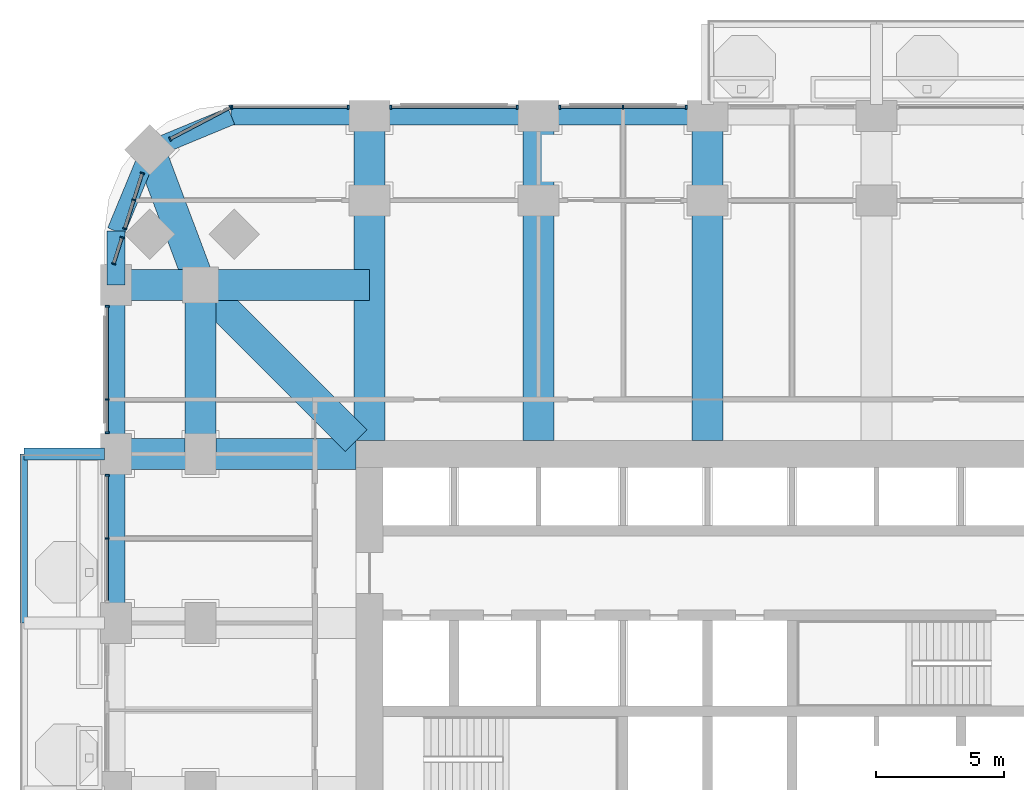
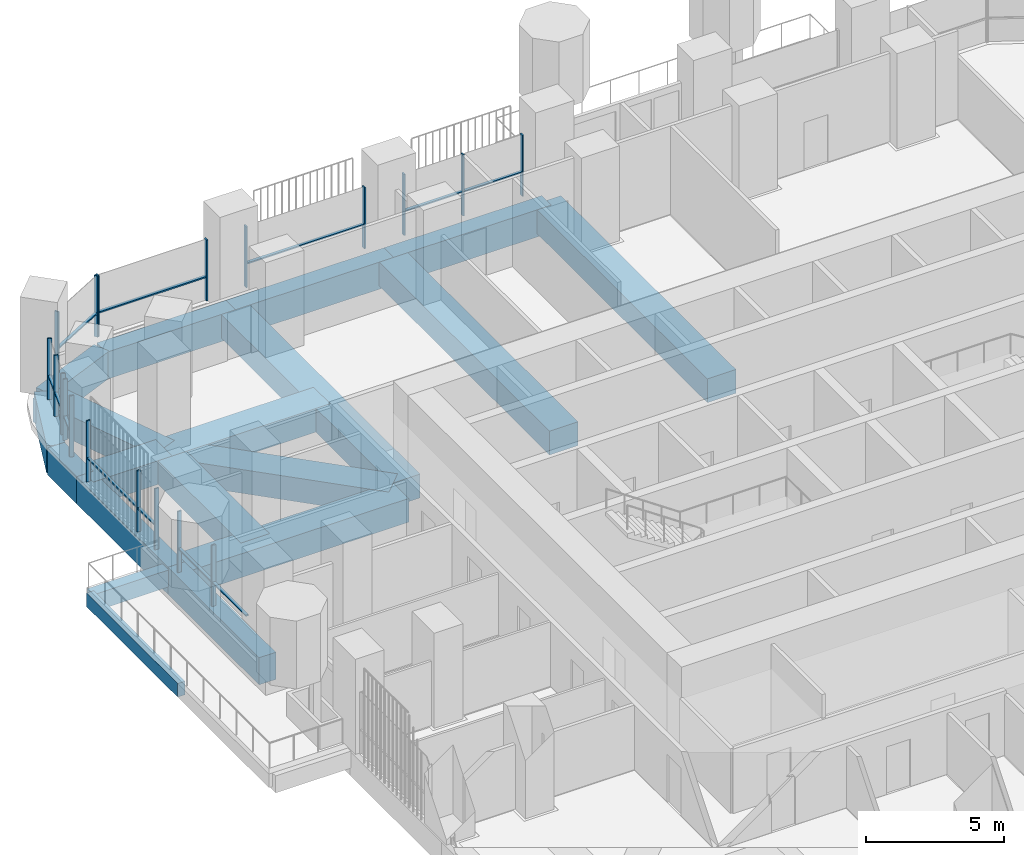
# One storey, part 6 of 21: 31 members, 19 beams, 8 elements without a shape of their own.
"""IFC4 building model written with IfcOpenShell, lengths in metres."""

import ifcopenshell
import ifcopenshell.guid

model = None  # the IFC model being written
_history = None  # IfcOwnerHistory: only IFC2X3 demands one
_inside = {}  # id of a spatial element -> (the spatial element, [elements in it])
_under = {}  # id of a project, library or spatial element -> (it, [spatial elements below it])
_declared = {}  # id of a project -> (the project, [libraries it declares])
_typed = {}  # id of a type object -> (the type object, [elements of that type])
_made_of = {}  # id of a material, layer set ... -> (it, [elements and type objects made of it])


def new_model(schema):
    """Start an empty IFC model of exactly this schema.

    Asked for "IFC4X3", IfcOpenShell would pick the latest addendum, in which some entities
    have other attributes; the version numbers below select the first issue.
    IFC2X3 requires an IfcOwnerHistory on every rooted entity: one is made here for all.
    """
    global model, _history
    if schema == "IFC4X3":
        model = ifcopenshell.file(schema_version=(4, 3, 0, 0))
    else:
        model = ifcopenshell.file(schema=schema)
    _inside.clear()
    _under.clear()
    _declared.clear()
    _typed.clear()
    _made_of.clear()
    _history = None
    if model.schema == "IFC2X3":
        org = make("IfcOrganization", Name="unknown")
        user = make(
            "IfcPersonAndOrganization",
            ThePerson=make("IfcPerson", FamilyName="unknown"),
            TheOrganization=org,
        )
        app = make(
            "IfcApplication",
            ApplicationDeveloper=org,
            Version="unknown",
            ApplicationFullName="unknown",
            ApplicationIdentifier="unknown",
        )
        _history = make(
            "IfcOwnerHistory",
            OwningUser=user,
            OwningApplication=app,
            ChangeAction="ADDED",
            CreationDate=0,
        )
    return model


def make(cls, **values):
    """One entity of the class cls with the attributes given. An attribute that is None is left unset."""
    return model.create_entity(
        cls, **{name: value for name, value in values.items() if value is not None}
    )


def rooted(cls, **values):
    """An entity with a GlobalId (a new one), such as an element, a storey or a relation."""
    return make(cls, GlobalId=ifcopenshell.guid.new(), OwnerHistory=_history, **values)


def si_unit(unit_type, name, prefix=None):
    """IfcSIUnit, for example si_unit("LENGTHUNIT", "METRE", prefix="MILLI")."""
    return make("IfcSIUnit", UnitType=unit_type, Prefix=prefix, Name=name)


def assignment(units):
    """IfcUnitAssignment: the units of a project."""
    return None if units is None else make("IfcUnitAssignment", Units=units)


def point(xyz):
    """IfcCartesianPoint."""
    return None if xyz is None else make("IfcCartesianPoint", Coordinates=xyz)


def direction(xyz):
    """IfcDirection."""
    return None if xyz is None else make("IfcDirection", DirectionRatios=xyz)


def frame(location, z_axis=None, x_axis=None):
    """IfcAxis2Placement3D, a coordinate frame: its origin and axes. An axis left out is left unset."""
    return make(
        "IfcAxis2Placement3D",
        Location=point(location),
        Axis=direction(z_axis),
        RefDirection=direction(x_axis),
    )


def frame_2d(location, x_axis=None):
    """IfcAxis2Placement2D, a coordinate frame in the plane: its origin and x axis."""
    return make(
        "IfcAxis2Placement2D", Location=point(location), RefDirection=direction(x_axis)
    )


def origin():
    """The frame at (0, 0, 0) with its axes left unset."""
    return frame((0.0, 0.0, 0.0))


def origin_2d():
    """The frame at (0, 0) in the plane with its x axis left unset."""
    return frame_2d((0.0, 0.0))


def place(relative_to, where):
    """IfcLocalPlacement: puts the frame where relative to a parent placement (None: the world)."""
    return make(
        "IfcLocalPlacement", PlacementRelTo=relative_to, RelativePlacement=where
    )


def context(
    kind, dimensions, precision=None, world=None, true_north=None, identifier=None
):
    """IfcGeometricRepresentationContext, for example the 3D "Model" context."""
    return make(
        "IfcGeometricRepresentationContext",
        ContextIdentifier=identifier,
        ContextType=kind,
        CoordinateSpaceDimension=dimensions,
        Precision=precision,
        WorldCoordinateSystem=world,
        TrueNorth=true_north,
    )


def subcontext(parent, identifier, kind, view, scale=None):
    """IfcGeometricRepresentationSubContext, for example "Body" below "Model"."""
    return make(
        "IfcGeometricRepresentationSubContext",
        ContextIdentifier=identifier,
        ContextType=kind,
        ParentContext=parent,
        TargetScale=scale,
        TargetView=view,
    )


def project(units=None, contexts=None):
    """IfcProject with its units and contexts."""
    return rooted(
        "IfcProject",
        Name="project",
        RepresentationContexts=contexts,
        UnitsInContext=assignment(units),
    )


def spatial(cls, under=None, at=None, **own):
    """A site, building, storey or space (cls), placed at a placement, below another one or the project."""
    s = rooted(cls, ObjectPlacement=at, **own)
    if under is not None:
        _under.setdefault(under.id(), (under, []))[1].append(s)
    return s


def profile(cls, at=None, kind="AREA", **sizes):
    """A parametric profile (cls). Its sizes go by their IFC names, for example OverallWidth=200.0."""
    return make(cls, ProfileType=kind, Position=at, **sizes)


def rectangle(**sizes):
    """IfcRectangleProfileDef."""
    return profile("IfcRectangleProfileDef", **sizes)


def extrude(swept, where, along, depth):
    """IfcExtrudedAreaSolid: the profile swept, set in the frame where, extruded along a direction by depth."""
    return make(
        "IfcExtrudedAreaSolid",
        SweptArea=swept,
        Position=where,
        ExtrudedDirection=direction(along),
        Depth=depth,
    )


def shape(context_of_items, identifier, shape_type, items):
    """IfcShapeRepresentation: the items that make up one representation, for example the "Body"."""
    return make(
        "IfcShapeRepresentation",
        ContextOfItems=context_of_items,
        RepresentationIdentifier=identifier,
        RepresentationType=shape_type,
        Items=items,
    )


def material(Name=None, Category=None):
    """IfcMaterial."""
    return make("IfcMaterial", Name=Name, Category=Category)


def material_profile(
    of_material, cross_section, Name=None, Category=None, Priority=None
):
    """IfcMaterialProfile: a cross section and its material."""
    return make(
        "IfcMaterialProfile",
        Name=Name,
        Material=of_material,
        Profile=cross_section,
        Priority=Priority,
        Category=Category,
    )


def profile_set(profiles, Name=None, composite=None):
    """IfcMaterialProfileSet."""
    return make(
        "IfcMaterialProfileSet",
        Name=Name,
        MaterialProfiles=profiles,
        CompositeProfile=composite,
    )


def made_of(thing, what):
    """Note that an element or type object is made of a material, layer set ...; save() writes the relation."""
    if what is not None:
        _made_of.setdefault(what.id(), (what, []))[1].append(thing)
    return thing


def type_object(cls, material=None, **own):
    """A type object (cls), such as IfcWallType, which elements share."""
    return made_of(rooted(cls, **own), material)


def element(
    cls,
    number,
    at=None,
    inside=None,
    cuts=None,
    type_object=None,
    material=None,
    context=None,
    identifier="Body",
    shape_type=None,
    held_by="IfcProductDefinitionShape",
    body=None,
    shapes=None,
    **own,
):
    """One element of the class cls, such as IfcWall. Its Tag is "e" and its number.

    at: its placement. inside: the storey or other place that contains it. cuts: it is an
    opening in that element (IfcRelVoidsElement). A single representation is given by context,
    identifier, shape_type and body (its items); several are given by shapes. held_by: the class
    of the entity that holds the representations. save() writes the other relations.
    """
    e = rooted(cls, Tag="e%d" % number, ObjectPlacement=at, **own)
    if body is not None:
        shapes = [shape(context, identifier, shape_type, body)]
    if shapes is not None:
        e.Representation = make(held_by, Representations=shapes)
    if inside is not None:
        _inside.setdefault(inside.id(), (inside, []))[1].append(e)
    if cuts is not None:
        rooted(
            "IfcRelVoidsElement", RelatingBuildingElement=cuts, RelatedOpeningElement=e
        )
    if type_object is not None:
        _typed.setdefault(type_object.id(), (type_object, []))[1].append(e)
    return made_of(e, material)


def aggregate(whole, parts):
    """IfcRelAggregates: a whole, such as a stair, and the parts it consists of."""
    return rooted("IfcRelAggregates", RelatingObject=whole, RelatedObjects=parts)


def save(model, path):
    """Write the relations noted so far, then the file.

    IfcRelAggregates (storeys below a building ...), IfcRelContainedInSpatialStructure (elements
    in a storey), IfcRelDefinesByType, IfcRelAssociatesMaterial and IfcRelDeclares: one each for
    every whole, place, type object, material and project.
    """
    for whole, parts in _under.values():
        aggregate(whole, parts)
    for where, things in _inside.values():
        rooted(
            "IfcRelContainedInSpatialStructure",
            RelatedElements=things,
            RelatingStructure=where,
        )
    for kind, things in _typed.values():
        rooted("IfcRelDefinesByType", RelatedObjects=things, RelatingType=kind)
    for what, things in _made_of.values():
        rooted("IfcRelAssociatesMaterial", RelatedObjects=things, RelatingMaterial=what)
    for by, libraries in _declared.values():
        rooted("IfcRelDeclares", RelatingContext=by, RelatedDefinitions=libraries)
    model.write(path)


model = new_model("IFC4")

# Units and contexts
model_context = context("Model", 3, precision=1e-05, world=origin(), true_north=direction((0.0, 1.0)))
body_context = subcontext(model_context, "Body", "Model", "MODEL_VIEW")
ifc_project = project(units=[si_unit("LENGTHUNIT", "METRE"), si_unit("AREAUNIT", "SQUARE_METRE"), si_unit("VOLUMEUNIT", "CUBIC_METRE"), si_unit("PLANEANGLEUNIT", "RADIAN"), si_unit("MASSUNIT", "GRAM", prefix="KILO")], contexts=[model_context])

# Site, building, storey
site_placement = place(None, origin())
site = spatial("IfcSite", under=ifc_project, at=site_placement, CompositionType="ELEMENT")
building_placement = place(site_placement, origin())
building = spatial("IfcBuilding", under=site, at=building_placement, Name="Cobogo Forest Laboratory Tower", CompositionType="ELEMENT")
storey_placement = place(building_placement, frame((0.0, 0.0, 86.39990234375)))
storey = spatial("IfcBuildingStorey", under=building, at=storey_placement, Name="L19", CompositionType="ELEMENT", Elevation=86.39990234375)

# Beams
ifc_material_1 = material(Name="Concrete HA-40 (C40/50)", Category="concrete")
ifc_material_profile_1 = material_profile(ifc_material_1, rectangle(XDim=0.449951171875, YDim=0.75, at=origin_2d()), Name="RC 450x750")
ifc_profile_set_1 = profile_set([ifc_material_profile_1], Name="Concrete HA-40 (C40/50)")
beam_type_1 = type_object("IfcBeamType", Name="Balcony cantilever beam 450x750", PredefinedType="BEAM", material=ifc_profile_set_1)
beam_1_placement = place(storey_placement, frame((2.85009765625, 33.0, -0.625), z_axis=(-1.0, 0.0, 0.0), x_axis=(0.0, -1.0, 0.0)))
element("IfcBeam", 1, at=beam_1_placement, inside=storey, type_object=beam_type_1, Name="CB1 BAL-W1-C3 L19", PredefinedType="BEAM", context=body_context, shape_type="SweptSolid", body=[
    extrude(rectangle(XDim=0.449951171875, YDim=0.75, at=origin_2d()), origin(), (0.0, 0.0, 1.0), 3.150146484375),
])
ifc_material_profile_2 = material_profile(ifc_material_1, rectangle(XDim=0.300048828125, YDim=0.60009765625, at=origin_2d()), Name="RC 300x600")
ifc_profile_set_2 = profile_set([ifc_material_profile_2], Name="Concrete HA-40 (C40/50)")
beam_type_2 = type_object("IfcBeamType", Name="Balcony edge beam 300x600", PredefinedType="BEAM", material=ifc_profile_set_2)
beam_2_placement = place(storey_placement, frame((-0.300048828125, 26.39990234375, -0.5498046875), z_axis=(0.0, 1.0, 0.0), x_axis=(-1.0, 0.0, 0.0)))
element("IfcBeam", 2, at=beam_2_placement, inside=storey, type_object=beam_type_2, Name="BB1 BAL-W1-T2 L19", PredefinedType="BEAM", context=body_context, shape_type="SweptSolid", body=[
    extrude(rectangle(XDim=0.300048828125, YDim=0.60009765625, at=origin_2d()), origin(), (0.0, 0.0, 1.0), 6.60009765625),
])
ifc_material_profile_3 = material_profile(ifc_material_1, rectangle(XDim=1.199951171875, YDim=1.050048828125, at=origin_2d()), Name="RC 1200x1050")
ifc_profile_set_3 = profile_set([ifc_material_profile_3], Name="Concrete HA-40 (C40/50)")
beam_type_3 = type_object("IfcBeamType", Name="Laboratory floor wide beam 1200x1050", PredefinedType="BEAM", material=ifc_profile_set_3)
for number, where, z_axis, x_axis, name in (
    (3, (13.199951171875, 33.52490234375, -0.824951171875), (0.0, 1.0, 0.0), (-1.0, 0.0, 0.0), "RB1 R-3-N L19"),
    (4, (19.800048828125, 33.52490234375, -0.824951171875), (0.0, 1.0, 0.0), (-1.0, 0.0, 0.0), "RB1 R-4-N L19"),
    (5, (26.39990234375, 33.52490234375, -0.824951171875), (0.0, 1.0, 0.0), (-1.0, 0.0, 0.0), "RB1 R-5-N L19"),
):
    element("IfcBeam", number, at=place(storey_placement, frame(where, z_axis=z_axis, x_axis=x_axis)), inside=storey, type_object=beam_type_3, Name=name, PredefinedType="BEAM", context=body_context, shape_type="SweptSolid", body=[
        extrude(rectangle(XDim=1.199951171875, YDim=1.050048828125, at=origin_2d()), origin(), (0.0, 0.0, 1.0), 12.675048828125),
    ])
beam_3_placement = place(storey_placement, frame((12.675048828125, 33.0, -0.824951171875), z_axis=(-1.0, 0.0, 0.0), x_axis=(0.0, -1.0, 0.0)))
element("IfcBeam", 6, at=beam_3_placement, inside=storey, type_object=beam_type_3, Name="RB1 R-F-W L19", PredefinedType="BEAM", context=body_context, shape_type="SweptSolid", body=[
    extrude(rectangle(XDim=1.199951171875, YDim=1.050048828125, at=origin_2d()), origin(), (0.0, 0.0, 1.0), 9.375),
])
beam_4_placement = place(storey_placement, frame((6.60009765625, 39.60009765625, -0.824951171875), z_axis=(0.0, -1.0, 0.0), x_axis=(1.0, 0.0, 0.0)))
element("IfcBeam", 7, at=beam_4_placement, inside=storey, type_object=beam_type_3, Name="RB1 G-NW-XC L19", PredefinedType="BEAM", context=body_context, shape_type="SweptSolid", body=[
    extrude(rectangle(XDim=1.199951171875, YDim=1.050048828125, at=origin_2d()), origin(), (0.0, 0.0, 1.0), 6.60009765625),
])
beam_5_placement = place(storey_placement, frame((3.300048828125, 39.60009765625, -0.824951171875), z_axis=(1.0, 0.0, 0.0), x_axis=(0.0, 1.0, 0.0)))
element("IfcBeam", 8, at=beam_5_placement, inside=storey, type_object=beam_type_3, Name="RB1 G-NW-YF L19", PredefinedType="BEAM", context=body_context, shape_type="SweptSolid", body=[
    extrude(rectangle(XDim=1.199951171875, YDim=1.050048828125, at=origin_2d()), origin(), (0.0, 0.0, 1.0), 3.300048828125),
])
beam_6_placement = place(storey_placement, frame((6.60009765625, 39.60009765625, -0.824951171875), z_axis=(1.0, 0.0, 0.0), x_axis=(0.0, 1.0, 0.0)))
element("IfcBeam", 9, at=beam_6_placement, inside=storey, type_object=beam_type_3, Name="RB1 G-NW-YC L19", PredefinedType="BEAM", context=body_context, shape_type="SweptSolid", body=[
    extrude(rectangle(XDim=1.199951171875, YDim=1.050048828125, at=origin_2d()), origin(), (0.0, 0.0, 1.0), 6.599853515625),
])
beam_7_placement = place(storey_placement, frame((4.617919921875, 44.882080078125, -0.824951171875), z_axis=(0.351346325373, -0.936245565889, 0.0), x_axis=(0.936245565889, 0.351346325373, 0.0)))
element("IfcBeam", 10, at=beam_7_placement, inside=storey, type_object=beam_type_3, Name="RB1 G-NW-D1 L19", PredefinedType="BEAM", context=body_context, shape_type="SweptSolid", body=[
    extrude(rectangle(XDim=1.199951171875, YDim=1.050048828125, at=origin_2d()), origin(), (0.0, 0.0, 1.0), 5.6416015625),
])
beam_8_placement = place(storey_placement, frame((6.60009765625, 39.60009765625, -0.824951171875), z_axis=(0.707092572697, -0.70712098939, 0.0), x_axis=(0.70712098939, 0.707092572697, 0.0)))
element("IfcBeam", 11, at=beam_8_placement, inside=storey, type_object=beam_type_3, Name="RB1 G-NW-D2 L19", PredefinedType="BEAM", context=body_context, shape_type="SweptSolid", body=[
    extrude(rectangle(XDim=1.199951171875, YDim=1.050048828125, at=origin_2d()), origin(), (0.0, 0.0, 1.0), 8.591552734375),
])

# Curtain wall, members
ifc_material_2 = material(Name="Aluminium curtain wall", Category="aluminium")
curtain_wall_type = type_object("IfcCurtainWallType", Name="CW-1 unitised curtain wall, clear glazing, laboratory floors zones A and B", PredefinedType="USERDEFINED", material=ifc_material_2)
curtain_wall_1_placement = place(storey_placement, origin())
curtain_wall_1 = element("IfcCurtainWall", 12, at=curtain_wall_1_placement, inside=storey, type_object=curtain_wall_type, Name="Curtain wall 21 L19", ObjectType="UNITISED CURTAIN WALL", PredefinedType="USERDEFINED")
ifc_material_3 = material(Name="Aluminium mullion", Category="aluminium")
ifc_material_profile_4 = material_profile(ifc_material_3, rectangle(XDim=0.06005859375, YDim=0.159912109375, at=origin_2d()), Name="AL 60x160")
ifc_profile_set_4 = profile_set([ifc_material_profile_4], Name="Aluminium mullion")
member_type_1 = type_object("IfcMemberType", Name="MU-1 aluminium mullion 60x160", PredefinedType="MULLION", material=ifc_profile_set_4)
member_1_placement = place(storey_placement, frame((25.570068359375, 46.550048828125, 0.0), z_axis=(0.0, 0.0, 1.0), x_axis=(-1.0, 0.0, 0.0)))
member_1 = element("IfcMember", 13, at=member_1_placement, type_object=member_type_1, Name="CW-1 mullion 1", PredefinedType="MULLION", context=body_context, shape_type="SweptSolid", body=[
    extrude(rectangle(XDim=0.06005859375, YDim=0.159912109375, at=origin_2d()), origin(), (0.0, 0.0, 1.0), 2.7001953125),
])
member_2_placement = place(storey_placement, frame((23.10009765625, 46.550048828125, 0.0), z_axis=(0.0, 0.0, 1.0), x_axis=(-1.0, 0.0, 0.0)))
member_2 = element("IfcMember", 14, at=member_2_placement, type_object=member_type_1, Name="CW-1 mullion 2", PredefinedType="MULLION", context=body_context, shape_type="SweptSolid", body=[
    extrude(rectangle(XDim=0.06005859375, YDim=0.159912109375, at=origin_2d()), origin(), (0.0, 0.0, 1.0), 2.7001953125),
])
member_3_placement = place(storey_placement, frame((20.6298828125, 46.550048828125, 0.0), z_axis=(0.0, 0.0, 1.0), x_axis=(-1.0, 0.0, 0.0)))
member_3 = element("IfcMember", 15, at=member_3_placement, type_object=member_type_1, Name="CW-1 mullion 3", PredefinedType="MULLION", context=body_context, shape_type="SweptSolid", body=[
    extrude(rectangle(XDim=0.06005859375, YDim=0.159912109375, at=origin_2d()), origin(), (0.0, 0.0, 1.0), 2.7001953125),
])

curtain_wall_2_placement = place(storey_placement, origin())
curtain_wall_2 = element("IfcCurtainWall", 16, at=curtain_wall_2_placement, inside=storey, type_object=curtain_wall_type, Name="Curtain wall 22 L19", ObjectType="UNITISED CURTAIN WALL", PredefinedType="USERDEFINED")
member_4_placement = place(storey_placement, frame((18.969970703125, 46.550048828125, 0.0), z_axis=(0.0, 0.0, 1.0), x_axis=(-1.0, 0.0, 0.0)))
member_4 = element("IfcMember", 17, at=member_4_placement, type_object=member_type_1, Name="CW-1 mullion 1", PredefinedType="MULLION", context=body_context, shape_type="SweptSolid", body=[
    extrude(rectangle(XDim=0.06005859375, YDim=0.159912109375, at=origin_2d()), origin(), (0.0, 0.0, 1.0), 2.7001953125),
])
member_5_placement = place(storey_placement, frame((14.030029296875, 46.550048828125, 0.0), z_axis=(0.0, 0.0, 1.0), x_axis=(-1.0, 0.0, 0.0)))
member_5 = element("IfcMember", 18, at=member_5_placement, type_object=member_type_1, Name="CW-1 mullion 2", PredefinedType="MULLION", context=body_context, shape_type="SweptSolid", body=[
    extrude(rectangle(XDim=0.06005859375, YDim=0.159912109375, at=origin_2d()), origin(), (0.0, 0.0, 1.0), 2.7001953125),
])

curtain_wall_3_placement = place(storey_placement, origin())
curtain_wall_3 = element("IfcCurtainWall", 19, at=curtain_wall_3_placement, inside=storey, type_object=curtain_wall_type, Name="Curtain wall 23 L19", ObjectType="UNITISED CURTAIN WALL", PredefinedType="USERDEFINED")
member_6_placement = place(storey_placement, frame((12.3701171875, 46.550048828125, 0.0), z_axis=(0.0, 0.0, 1.0), x_axis=(-1.0, 0.0, 0.0)))
member_6 = element("IfcMember", 20, at=member_6_placement, type_object=member_type_1, Name="CW-1 mullion 1", PredefinedType="MULLION", context=body_context, shape_type="SweptSolid", body=[
    extrude(rectangle(XDim=0.06005859375, YDim=0.159912109375, at=origin_2d()), origin(), (0.0, 0.0, 1.0), 2.7001953125),
])
member_7_placement = place(storey_placement, frame((7.830078125, 46.550048828125, 0.0), z_axis=(0.0, 0.0, 1.0), x_axis=(-1.0, 0.0, 0.0)))
member_7 = element("IfcMember", 21, at=member_7_placement, type_object=member_type_1, Name="CW-1 mullion 2", PredefinedType="MULLION", context=body_context, shape_type="SweptSolid", body=[
    extrude(rectangle(XDim=0.06005859375, YDim=0.159912109375, at=origin_2d()), origin(), (0.0, 0.0, 1.0), 2.7001953125),
])

curtain_wall_4_placement = place(storey_placement, origin())
curtain_wall_4 = element("IfcCurtainWall", 22, at=curtain_wall_4_placement, inside=storey, type_object=curtain_wall_type, Name="Curtain wall 24 L19", ObjectType="UNITISED CURTAIN WALL", PredefinedType="USERDEFINED")
member_8_placement = place(storey_placement, frame((7.7734375, 46.5361328125, 0.0), z_axis=(0.0, 0.0, 1.0), x_axis=(-0.885686540666, -0.464283697413, 0.0)))
member_8 = element("IfcMember", 23, at=member_8_placement, type_object=member_type_1, Name="CW-1 mullion 1", PredefinedType="MULLION", context=body_context, shape_type="SweptSolid", body=[
    extrude(rectangle(XDim=0.06005859375, YDim=0.159912109375, at=origin_2d()), origin(), (0.0, 0.0, 1.0), 2.7001953125),
])
member_9_placement = place(storey_placement, frame((5.414794921875, 45.299560546875, 0.0), z_axis=(0.0, 0.0, 1.0), x_axis=(-0.885686540666, -0.464283697413, 0.0)))
member_9 = element("IfcMember", 24, at=member_9_placement, type_object=member_type_1, Name="CW-1 mullion 2", PredefinedType="MULLION", context=body_context, shape_type="SweptSolid", body=[
    extrude(rectangle(XDim=0.06005859375, YDim=0.159912109375, at=origin_2d()), origin(), (0.0, 0.0, 1.0), 2.7001953125),
])

curtain_wall_5_placement = place(storey_placement, origin())
curtain_wall_5 = element("IfcCurtainWall", 25, at=curtain_wall_5_placement, inside=storey, type_object=curtain_wall_type, Name="Curtain wall 25 L19", ObjectType="UNITISED CURTAIN WALL", PredefinedType="USERDEFINED")
member_10_placement = place(storey_placement, frame((4.3271484375, 43.961181640625, 0.0), z_axis=(0.0, 0.0, 1.0), x_axis=(-0.301135343623, -0.953581409645, 0.0)))
member_10 = element("IfcMember", 26, at=member_10_placement, type_object=member_type_1, Name="CW-1 mullion 1", PredefinedType="MULLION", context=body_context, shape_type="SweptSolid", body=[
    extrude(rectangle(XDim=0.06005859375, YDim=0.159912109375, at=origin_2d()), origin(), (0.0, 0.0, 1.0), 2.7001953125),
])
member_11_placement = place(storey_placement, frame((3.999755859375, 42.924072265625, 0.0), z_axis=(0.0, 0.0, 1.0), x_axis=(-0.301135343623, -0.953581409645, 0.0)))
member_11 = element("IfcMember", 27, at=member_11_placement, type_object=member_type_1, Name="CW-1 mullion 2", PredefinedType="MULLION", context=body_context, shape_type="SweptSolid", body=[
    extrude(rectangle(XDim=0.06005859375, YDim=0.159912109375, at=origin_2d()), origin(), (0.0, 0.0, 1.0), 2.7001953125),
])
member_12_placement = place(storey_placement, frame((3.645751953125, 41.802978515625, 0.0), z_axis=(0.0, 0.0, 1.0), x_axis=(-0.301135343623, -0.953581409645, 0.0)))
member_12 = element("IfcMember", 28, at=member_12_placement, type_object=member_type_1, Name="CW-1 mullion 3", PredefinedType="MULLION", context=body_context, shape_type="SweptSolid", body=[
    extrude(rectangle(XDim=0.06005859375, YDim=0.159912109375, at=origin_2d()), origin(), (0.0, 0.0, 1.0), 2.7001953125),
])

curtain_wall_6_placement = place(storey_placement, origin())
curtain_wall_6 = element("IfcCurtainWall", 29, at=curtain_wall_6_placement, inside=storey, type_object=curtain_wall_type, Name="Curtain wall 26 L19", ObjectType="UNITISED CURTAIN WALL", PredefinedType="USERDEFINED")
member_13_placement = place(storey_placement, frame((3.53515625, 41.453369140625, 0.0), z_axis=(0.0, 0.0, 1.0), x_axis=(-0.3011355018, -0.953581359694, 0.0)))
member_13 = element("IfcMember", 30, at=member_13_placement, type_object=member_type_1, Name="CW-1 mullion 1", PredefinedType="MULLION", context=body_context, shape_type="SweptSolid", body=[
    extrude(rectangle(XDim=0.06005859375, YDim=0.159912109375, at=origin_2d()), origin(), (0.0, 0.0, 1.0), 2.7001953125),
])
member_14_placement = place(storey_placement, frame((3.211669921875, 40.4287109375, 0.0), z_axis=(0.0, 0.0, 1.0), x_axis=(-0.3011355018, -0.953581359694, 0.0)))
member_14 = element("IfcMember", 31, at=member_14_placement, type_object=member_type_1, Name="CW-1 mullion 2", PredefinedType="MULLION", context=body_context, shape_type="SweptSolid", body=[
    extrude(rectangle(XDim=0.06005859375, YDim=0.159912109375, at=origin_2d()), origin(), (0.0, 0.0, 1.0), 2.7001953125),
])

curtain_wall_7_placement = place(storey_placement, origin())
curtain_wall_7 = element("IfcCurtainWall", 32, at=curtain_wall_7_placement, inside=storey, type_object=curtain_wall_type, Name="Curtain wall 27 L19", ObjectType="UNITISED CURTAIN WALL", PredefinedType="USERDEFINED")
member_15_placement = place(storey_placement, frame((2.949951171875, 38.77001953125, 0.0), z_axis=(0.0, 0.0, 1.0), x_axis=(0.0, -1.0, 0.0)))
member_15 = element("IfcMember", 33, at=member_15_placement, type_object=member_type_1, Name="CW-1 mullion 1", PredefinedType="MULLION", context=body_context, shape_type="SweptSolid", body=[
    extrude(rectangle(XDim=0.06005859375, YDim=0.159912109375, at=origin_2d()), origin(), (0.0, 0.0, 1.0), 2.7001953125),
])
member_16_placement = place(storey_placement, frame((2.949951171875, 35.125, 0.0), z_axis=(0.0, 0.0, 1.0), x_axis=(0.0, -1.0, 0.0)))
member_16 = element("IfcMember", 34, at=member_16_placement, type_object=member_type_1, Name="CW-1 mullion 2", PredefinedType="MULLION", context=body_context, shape_type="SweptSolid", body=[
    extrude(rectangle(XDim=0.06005859375, YDim=0.159912109375, at=origin_2d()), origin(), (0.0, 0.0, 1.0), 2.7001953125),
])
member_17_placement = place(storey_placement, frame((2.949951171875, 33.830078125, 0.0), z_axis=(0.0, 0.0, 1.0), x_axis=(0.0, -1.0, 0.0)))
member_17 = element("IfcMember", 35, at=member_17_placement, type_object=member_type_1, Name="CW-1 mullion 3", PredefinedType="MULLION", context=body_context, shape_type="SweptSolid", body=[
    extrude(rectangle(XDim=0.06005859375, YDim=0.159912109375, at=origin_2d()), origin(), (0.0, 0.0, 1.0), 2.7001953125),
])

curtain_wall_8_placement = place(storey_placement, origin())
curtain_wall_8 = element("IfcCurtainWall", 36, at=curtain_wall_8_placement, inside=storey, type_object=curtain_wall_type, Name="Curtain wall 28 L19", ObjectType="UNITISED CURTAIN WALL", PredefinedType="USERDEFINED")
member_18_placement = place(storey_placement, frame((2.949951171875, 32.169921875, 0.0), z_axis=(0.0, 0.0, 1.0), x_axis=(0.0, -1.0, 0.0)))
member_18 = element("IfcMember", 37, at=member_18_placement, type_object=member_type_1, Name="CW-1 mullion 1", PredefinedType="MULLION", context=body_context, shape_type="SweptSolid", body=[
    extrude(rectangle(XDim=0.06005859375, YDim=0.159912109375, at=origin_2d()), origin(), (0.0, 0.0, 1.0), 2.7001953125),
])
member_19_placement = place(storey_placement, frame((2.949951171875, 29.699951171875, 0.0), z_axis=(0.0, 0.0, 1.0), x_axis=(0.0, -1.0, 0.0)))
member_19 = element("IfcMember", 38, at=member_19_placement, type_object=member_type_1, Name="CW-1 mullion 2", PredefinedType="MULLION", context=body_context, shape_type="SweptSolid", body=[
    extrude(rectangle(XDim=0.06005859375, YDim=0.159912109375, at=origin_2d()), origin(), (0.0, 0.0, 1.0), 2.7001953125),
])

# Beams
ifc_material_profile_5 = material_profile(ifc_material_1, rectangle(XDim=0.699951171875, YDim=1.199951171875, at=origin_2d()), Name="RC 700x1200")
ifc_profile_set_5 = profile_set([ifc_material_profile_5], Name="Concrete HA-40 (C40/50)")
beam_type_4 = type_object("IfcBeamType", Name="Perimeter edge beam 700x1200", PredefinedType="BEAM", material=ifc_profile_set_5)
beam_9_placement = place(storey_placement, frame((13.199951171875, 46.199951171875, -0.89990234375), z_axis=(1.0, 0.0, 0.0), x_axis=(0.0, 1.0, 0.0)))
element("IfcBeam", 39, at=beam_9_placement, inside=storey, type_object=beam_type_4, Name="EB1 E-N1 L19", PredefinedType="BEAM", context=body_context, shape_type="SweptSolid", body=[
    extrude(rectangle(XDim=0.699951171875, YDim=1.199951171875, at=origin_2d()), origin(), (0.0, 0.0, 1.0), 6.60009765625),
])
beam_10_placement = place(storey_placement, frame((19.800048828125, 46.199951171875, -0.89990234375), z_axis=(1.0, 0.0, 0.0), x_axis=(0.0, 1.0, 0.0)))
element("IfcBeam", 40, at=beam_10_placement, inside=storey, type_object=beam_type_4, Name="EB1 E-N2 L19", PredefinedType="BEAM", context=body_context, shape_type="SweptSolid", body=[
    extrude(rectangle(XDim=0.699951171875, YDim=1.199951171875, at=origin_2d()), origin(), (0.0, 0.0, 1.0), 6.599853515625),
])
for number, where, z_axis, x_axis, name in (
    (41, (3.300048828125, 26.39990234375, -0.89990234375), (0.0, 1.0, 0.0), (-1.0, 0.0, 0.0), "EB1 E-W4 L19"),
    (42, (3.300048828125, 33.0, -0.89990234375), (0.0, 1.0, 0.0), (-1.0, 0.0, 0.0), "EB1 E-W5 L19"),
):
    element("IfcBeam", number, at=place(storey_placement, frame(where, z_axis=z_axis, x_axis=x_axis)), inside=storey, type_object=beam_type_4, Name=name, PredefinedType="BEAM", context=body_context, shape_type="SweptSolid", body=[
        extrude(rectangle(XDim=0.699951171875, YDim=1.199951171875, at=origin_2d()), origin(), (0.0, 0.0, 1.0), 6.60009765625),
    ])
beam_11_placement = place(storey_placement, frame((13.199951171875, 46.199951171875, -0.89990234375), z_axis=(-1.0, 0.0, 0.0), x_axis=(0.0, -1.0, 0.0)))
element("IfcBeam", 43, at=beam_11_placement, inside=storey, type_object=beam_type_4, Name="EB1 E-NWN1 L19", PredefinedType="BEAM", context=body_context, shape_type="SweptSolid", body=[
    extrude(rectangle(XDim=0.699951171875, YDim=1.199951171875, at=origin_2d()), origin(), (0.0, 0.0, 1.0), 5.39990234375),
])
beam_12_placement = place(storey_placement, frame((7.800048828125, 46.199951171875, -0.89990234375), z_axis=(-0.923901072997, -0.382631424892, 0.0), x_axis=(0.382631424892, -0.923901072997, 0.0)))
element("IfcBeam", 44, at=beam_12_placement, inside=storey, type_object=beam_type_4, Name="EB1 E-NWN2 L19", PredefinedType="BEAM", context=body_context, shape_type="SweptSolid", body=[
    extrude(rectangle(XDim=0.699951171875, YDim=1.199951171875, at=origin_2d()), origin(), (0.0, 0.0, 1.0), 3.4443359375),
])
beam_13_placement = place(storey_placement, frame((3.300048828125, 39.60009765625, -0.89990234375), z_axis=(0.0, 1.0, 0.0), x_axis=(-1.0, 0.0, 0.0)))
element("IfcBeam", 45, at=beam_13_placement, inside=storey, type_object=beam_type_4, Name="EB1 E-NWW1 L19", PredefinedType="BEAM", context=body_context, shape_type="SweptSolid", body=[
    extrude(rectangle(XDim=0.699951171875, YDim=1.199951171875, at=origin_2d()), origin(), (0.0, 0.0, 1.0), 2.099853515625),
])
beam_14_placement = place(storey_placement, frame((3.300048828125, 41.699951171875, -0.89990234375), z_axis=(0.382631424892, 0.923901072997, 0.0), x_axis=(-0.923901072997, 0.382631424892, 0.0)))
element("IfcBeam", 46, at=beam_14_placement, inside=storey, type_object=beam_type_4, Name="EB1 E-NWW2 L19", PredefinedType="BEAM", context=body_context, shape_type="SweptSolid", body=[
    extrude(rectangle(XDim=0.699951171875, YDim=1.199951171875, at=origin_2d()), origin(), (0.0, 0.0, 1.0), 3.4443359375),
])

# Member
ifc_material_4 = material(Name="Aluminium transom", Category="aluminium")
ifc_material_profile_6 = material_profile(ifc_material_4, rectangle(XDim=0.1201171875, YDim=0.06005859375, at=origin_2d()), Name="AL 60x120")
ifc_profile_set_6 = profile_set([ifc_material_profile_6], Name="Aluminium transom")
member_type_2 = type_object("IfcMemberType", Name="TR-1 aluminium transom 60x120", PredefinedType="USERDEFINED", material=ifc_profile_set_6)
member_20_placement = place(storey_placement, frame((25.5400390625, 46.550048828125, 1.050048828125), z_axis=(-1.0, 0.0, 0.0), x_axis=(0.0, -1.0, 0.0)))
member_20 = element("IfcMember", 47, at=member_20_placement, type_object=member_type_2, Name="CW-1 transom 1.1", ObjectType="TRANSOM", PredefinedType="USERDEFINED", context=body_context, shape_type="SweptSolid", body=[
    extrude(rectangle(XDim=0.1201171875, YDim=0.06005859375, at=origin_2d()), origin(), (0.0, 0.0, 1.0), 2.41015625),
])

member_21_placement = place(storey_placement, frame((23.070068359375, 46.550048828125, 1.050048828125), z_axis=(-1.0, 0.0, 0.0), x_axis=(0.0, -1.0, 0.0)))
member_21 = element("IfcMember", 48, at=member_21_placement, type_object=member_type_2, Name="CW-1 transom 2.1", ObjectType="TRANSOM", PredefinedType="USERDEFINED", context=body_context, shape_type="SweptSolid", body=[
    extrude(rectangle(XDim=0.1201171875, YDim=0.06005859375, at=origin_2d()), origin(), (0.0, 0.0, 1.0), 2.41015625),
])

aggregate(curtain_wall_1, [member_1, member_2, member_3, member_20, member_21])

member_22_placement = place(storey_placement, frame((18.93994140625, 46.550048828125, 1.050048828125), z_axis=(-1.0, 0.0, 0.0), x_axis=(0.0, -1.0, 0.0)))
member_22 = element("IfcMember", 49, at=member_22_placement, type_object=member_type_2, Name="CW-1 transom 1.1", ObjectType="TRANSOM", PredefinedType="USERDEFINED", context=body_context, shape_type="SweptSolid", body=[
    extrude(rectangle(XDim=0.1201171875, YDim=0.06005859375, at=origin_2d()), origin(), (0.0, 0.0, 1.0), 4.8798828125),
])

aggregate(curtain_wall_2, [member_4, member_5, member_22])

member_23_placement = place(storey_placement, frame((12.340087890625, 46.550048828125, 1.050048828125), z_axis=(-1.0, 0.0, 0.0), x_axis=(0.0, -1.0, 0.0)))
member_23 = element("IfcMember", 50, at=member_23_placement, type_object=member_type_2, Name="CW-1 transom 1.1", ObjectType="TRANSOM", PredefinedType="USERDEFINED", context=body_context, shape_type="SweptSolid", body=[
    extrude(rectangle(XDim=0.1201171875, YDim=0.06005859375, at=origin_2d()), origin(), (0.0, 0.0, 1.0), 4.47998046875),
])

aggregate(curtain_wall_3, [member_6, member_7, member_23])

member_24_placement = place(storey_placement, frame((7.746826171875, 46.522216796875, 1.050048828125), z_axis=(-0.885671787399, -0.46431184026, 0.0), x_axis=(0.46431184026, -0.885671787399, 0.0)))
member_24 = element("IfcMember", 51, at=member_24_placement, type_object=member_type_2, Name="CW-1 transom 1.1", ObjectType="TRANSOM", PredefinedType="USERDEFINED", context=body_context, shape_type="SweptSolid", body=[
    extrude(rectangle(XDim=0.1201171875, YDim=0.06005859375, at=origin_2d()), origin(), (0.0, 0.0, 1.0), 2.603271484375),
])

aggregate(curtain_wall_4, [member_8, member_9, member_24])

member_25_placement = place(storey_placement, frame((4.318115234375, 43.9326171875, 1.050048828125), z_axis=(-0.301006294888, -0.953622152866, 0.0), x_axis=(0.953622152866, -0.301006294888, 0.0)))
member_25 = element("IfcMember", 52, at=member_25_placement, type_object=member_type_2, Name="CW-1 transom 1.1", ObjectType="TRANSOM", PredefinedType="USERDEFINED", context=body_context, shape_type="SweptSolid", body=[
    extrude(rectangle(XDim=0.1201171875, YDim=0.06005859375, at=origin_2d()), origin(), (0.0, 0.0, 1.0), 1.027587890625),
])

member_26_placement = place(storey_placement, frame((3.99072265625, 42.8955078125, 1.050048828125), z_axis=(-0.301089478624, -0.953595892327, 0.0), x_axis=(0.953595892327, -0.301089478624, 0.0)))
member_26 = element("IfcMember", 53, at=member_26_placement, type_object=member_type_2, Name="CW-1 transom 2.1", ObjectType="TRANSOM", PredefinedType="USERDEFINED", context=body_context, shape_type="SweptSolid", body=[
    extrude(rectangle(XDim=0.1201171875, YDim=0.06005859375, at=origin_2d()), origin(), (0.0, 0.0, 1.0), 1.11572265625),
])

aggregate(curtain_wall_5, [member_10, member_11, member_12, member_25, member_26])

member_27_placement = place(storey_placement, frame((3.526123046875, 41.4248046875, 1.050048828125), z_axis=(-0.301027719625, -0.953615389986, 0.0), x_axis=(0.953615389986, -0.301027719625, 0.0)))
member_27 = element("IfcMember", 54, at=member_27_placement, type_object=member_type_2, Name="CW-1 transom 1.1", ObjectType="TRANSOM", PredefinedType="USERDEFINED", context=body_context, shape_type="SweptSolid", body=[
    extrude(rectangle(XDim=0.1201171875, YDim=0.06005859375, at=origin_2d()), origin(), (0.0, 0.0, 1.0), 1.0146484375),
])

aggregate(curtain_wall_6, [member_13, member_14, member_27])

member_28_placement = place(storey_placement, frame((2.949951171875, 38.739990234375, 1.050048828125), z_axis=(0.0, -1.0, 0.0), x_axis=(1.0, 0.0, 0.0)))
member_28 = element("IfcMember", 55, at=member_28_placement, type_object=member_type_2, Name="CW-1 transom 1.1", ObjectType="TRANSOM", PredefinedType="USERDEFINED", context=body_context, shape_type="SweptSolid", body=[
    extrude(rectangle(XDim=0.1201171875, YDim=0.06005859375, at=origin_2d()), origin(), (0.0, 0.0, 1.0), 3.5849609375),
])

member_29_placement = place(storey_placement, frame((2.949951171875, 35.094970703125, 1.050048828125), z_axis=(0.0, -1.0, 0.0), x_axis=(1.0, 0.0, 0.0)))
member_29 = element("IfcMember", 56, at=member_29_placement, type_object=member_type_2, Name="CW-1 transom 2.1", ObjectType="TRANSOM", PredefinedType="USERDEFINED", context=body_context, shape_type="SweptSolid", body=[
    extrude(rectangle(XDim=0.1201171875, YDim=0.06005859375, at=origin_2d()), origin(), (0.0, 0.0, 1.0), 1.23486328125),
])

aggregate(curtain_wall_7, [member_15, member_16, member_17, member_28, member_29])

member_30_placement = place(storey_placement, frame((2.949951171875, 32.139892578125, 1.050048828125), z_axis=(0.0, -1.0, 0.0), x_axis=(1.0, 0.0, 0.0)))
member_30 = element("IfcMember", 57, at=member_30_placement, type_object=member_type_2, Name="CW-1 transom 1.1", ObjectType="TRANSOM", PredefinedType="USERDEFINED", context=body_context, shape_type="SweptSolid", body=[
    extrude(rectangle(XDim=0.1201171875, YDim=0.06005859375, at=origin_2d()), origin(), (0.0, 0.0, 1.0), 2.409912109375),
])

member_31_placement = place(storey_placement, frame((2.949951171875, 29.669921875, 1.050048828125), z_axis=(0.0, -1.0, 0.0), x_axis=(1.0, 0.0, 0.0)))
member_31 = element("IfcMember", 58, at=member_31_placement, type_object=member_type_2, Name="CW-1 transom 2.1", ObjectType="TRANSOM", PredefinedType="USERDEFINED", context=body_context, shape_type="SweptSolid", body=[
    extrude(rectangle(XDim=0.1201171875, YDim=0.06005859375, at=origin_2d()), origin(), (0.0, 0.0, 1.0), 2.409912109375),
])

aggregate(curtain_wall_8, [member_18, member_19, member_30, member_31])

save(model, "model.ifc")
